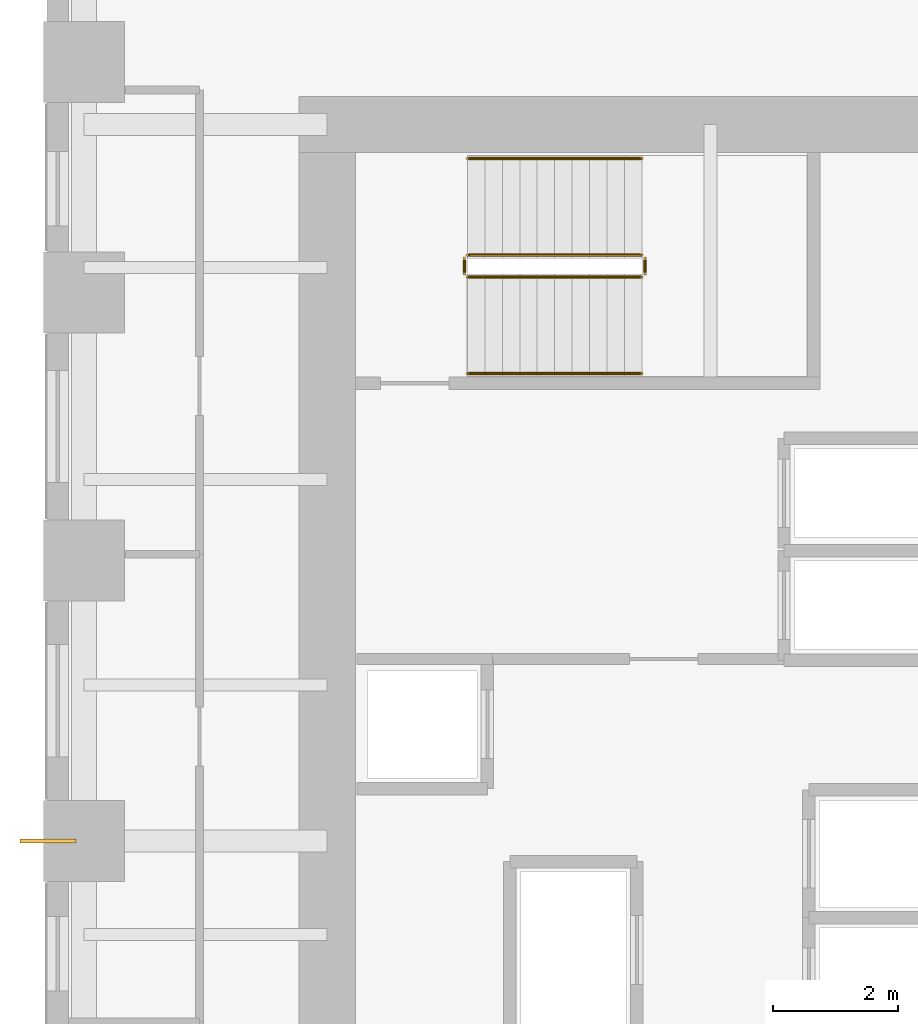
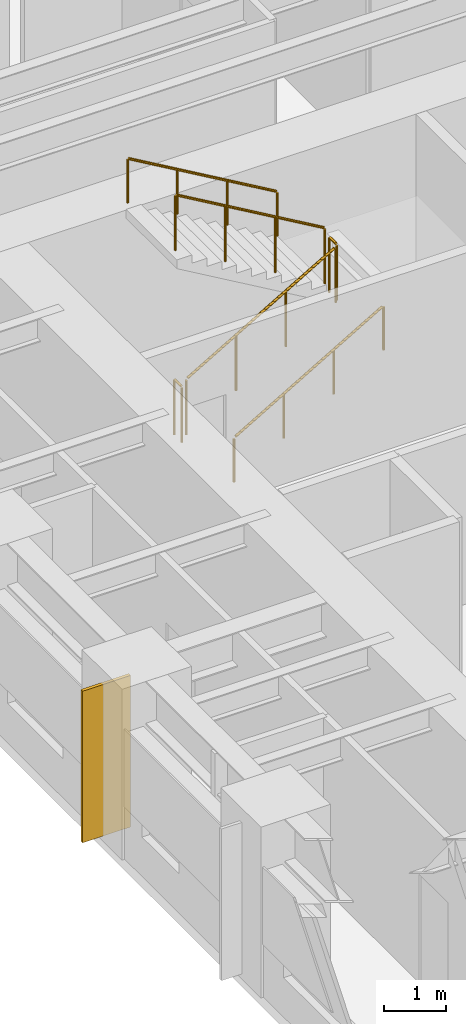
# One storey, part 12 of 13: 6 railings, 1 covering.
"""IFC4 building model written with IfcOpenShell, lengths in metres."""

import ifcopenshell
import ifcopenshell.guid

model = None  # the IFC model being written
_history = None  # IfcOwnerHistory: only IFC2X3 demands one
_inside = {}  # id of a spatial element -> (the spatial element, [elements in it])
_under = {}  # id of a project, library or spatial element -> (it, [spatial elements below it])
_declared = {}  # id of a project -> (the project, [libraries it declares])
_typed = {}  # id of a type object -> (the type object, [elements of that type])
_made_of = {}  # id of a material, layer set ... -> (it, [elements and type objects made of it])


def new_model(schema):
    """Start an empty IFC model of exactly this schema.

    Asked for "IFC4X3", IfcOpenShell would pick the latest addendum, in which some entities
    have other attributes; the version numbers below select the first issue.
    IFC2X3 requires an IfcOwnerHistory on every rooted entity: one is made here for all.
    """
    global model, _history
    if schema == "IFC4X3":
        model = ifcopenshell.file(schema_version=(4, 3, 0, 0))
    else:
        model = ifcopenshell.file(schema=schema)
    _inside.clear()
    _under.clear()
    _declared.clear()
    _typed.clear()
    _made_of.clear()
    _history = None
    if model.schema == "IFC2X3":
        org = make("IfcOrganization", Name="unknown")
        user = make(
            "IfcPersonAndOrganization",
            ThePerson=make("IfcPerson", FamilyName="unknown"),
            TheOrganization=org,
        )
        app = make(
            "IfcApplication",
            ApplicationDeveloper=org,
            Version="unknown",
            ApplicationFullName="unknown",
            ApplicationIdentifier="unknown",
        )
        _history = make(
            "IfcOwnerHistory",
            OwningUser=user,
            OwningApplication=app,
            ChangeAction="ADDED",
            CreationDate=0,
        )
    return model


def make(cls, **values):
    """One entity of the class cls with the attributes given. An attribute that is None is left unset."""
    return model.create_entity(
        cls, **{name: value for name, value in values.items() if value is not None}
    )


def rooted(cls, **values):
    """An entity with a GlobalId (a new one), such as an element, a storey or a relation."""
    return make(cls, GlobalId=ifcopenshell.guid.new(), OwnerHistory=_history, **values)


def si_unit(unit_type, name, prefix=None):
    """IfcSIUnit, for example si_unit("LENGTHUNIT", "METRE", prefix="MILLI")."""
    return make("IfcSIUnit", UnitType=unit_type, Prefix=prefix, Name=name)


def assignment(units):
    """IfcUnitAssignment: the units of a project."""
    return None if units is None else make("IfcUnitAssignment", Units=units)


def point(xyz):
    """IfcCartesianPoint."""
    return None if xyz is None else make("IfcCartesianPoint", Coordinates=xyz)


def direction(xyz):
    """IfcDirection."""
    return None if xyz is None else make("IfcDirection", DirectionRatios=xyz)


def frame(location, z_axis=None, x_axis=None):
    """IfcAxis2Placement3D, a coordinate frame: its origin and axes. An axis left out is left unset."""
    return make(
        "IfcAxis2Placement3D",
        Location=point(location),
        Axis=direction(z_axis),
        RefDirection=direction(x_axis),
    )


def frame_2d(location, x_axis=None):
    """IfcAxis2Placement2D, a coordinate frame in the plane: its origin and x axis."""
    return make(
        "IfcAxis2Placement2D", Location=point(location), RefDirection=direction(x_axis)
    )


def origin():
    """The frame at (0, 0, 0) with its axes left unset."""
    return frame((0.0, 0.0, 0.0))


def origin_2d():
    """The frame at (0, 0) in the plane with its x axis left unset."""
    return frame_2d((0.0, 0.0))


def place(relative_to, where):
    """IfcLocalPlacement: puts the frame where relative to a parent placement (None: the world)."""
    return make(
        "IfcLocalPlacement", PlacementRelTo=relative_to, RelativePlacement=where
    )


def context(
    kind, dimensions, precision=None, world=None, true_north=None, identifier=None
):
    """IfcGeometricRepresentationContext, for example the 3D "Model" context."""
    return make(
        "IfcGeometricRepresentationContext",
        ContextIdentifier=identifier,
        ContextType=kind,
        CoordinateSpaceDimension=dimensions,
        Precision=precision,
        WorldCoordinateSystem=world,
        TrueNorth=true_north,
    )


def subcontext(parent, identifier, kind, view, scale=None):
    """IfcGeometricRepresentationSubContext, for example "Body" below "Model"."""
    return make(
        "IfcGeometricRepresentationSubContext",
        ContextIdentifier=identifier,
        ContextType=kind,
        ParentContext=parent,
        TargetScale=scale,
        TargetView=view,
    )


def project(units=None, contexts=None):
    """IfcProject with its units and contexts."""
    return rooted(
        "IfcProject",
        Name="project",
        RepresentationContexts=contexts,
        UnitsInContext=assignment(units),
    )


def spatial(cls, under=None, at=None, **own):
    """A site, building, storey or space (cls), placed at a placement, below another one or the project."""
    s = rooted(cls, ObjectPlacement=at, **own)
    if under is not None:
        _under.setdefault(under.id(), (under, []))[1].append(s)
    return s


def profile(cls, at=None, kind="AREA", **sizes):
    """A parametric profile (cls). Its sizes go by their IFC names, for example OverallWidth=200.0."""
    return make(cls, ProfileType=kind, Position=at, **sizes)


def rectangle(**sizes):
    """IfcRectangleProfileDef."""
    return profile("IfcRectangleProfileDef", **sizes)


def circle(**sizes):
    """IfcCircleProfileDef."""
    return profile("IfcCircleProfileDef", **sizes)


def extrude(swept, where, along, depth):
    """IfcExtrudedAreaSolid: the profile swept, set in the frame where, extruded along a direction by depth."""
    return make(
        "IfcExtrudedAreaSolid",
        SweptArea=swept,
        Position=where,
        ExtrudedDirection=direction(along),
        Depth=depth,
    )


def shape(context_of_items, identifier, shape_type, items):
    """IfcShapeRepresentation: the items that make up one representation, for example the "Body"."""
    return make(
        "IfcShapeRepresentation",
        ContextOfItems=context_of_items,
        RepresentationIdentifier=identifier,
        RepresentationType=shape_type,
        Items=items,
    )


def source(mapping_origin, context_of_items, identifier, shape_type, items):
    """IfcRepresentationMap: a shape defined once, which mapped items show again and again."""
    return make(
        "IfcRepresentationMap",
        MappingOrigin=mapping_origin,
        MappedRepresentation=shape(context_of_items, identifier, shape_type, items),
    )


def transform(
    local_origin,
    x_axis=None,
    y_axis=None,
    z_axis=None,
    scale=None,
    scale2=None,
    scale3=None,
    uniform=True,
):
    """IfcCartesianTransformationOperator3D, or its non-uniform kind. x_axis, y_axis, z_axis: its Axis1, 2, 3."""
    if uniform:
        return make(
            "IfcCartesianTransformationOperator3D",
            Axis1=direction(x_axis),
            Axis2=direction(y_axis),
            LocalOrigin=point(local_origin),
            Scale=scale,
            Axis3=direction(z_axis),
        )
    return make(
        "IfcCartesianTransformationOperator3DnonUniform",
        Axis1=direction(x_axis),
        Axis2=direction(y_axis),
        LocalOrigin=point(local_origin),
        Scale=scale,
        Axis3=direction(z_axis),
        Scale2=scale2,
        Scale3=scale3,
    )


def mapped(mapping_source, mapping_target):
    """IfcMappedItem: shows the shape of a source again, moved by a transform."""
    return make(
        "IfcMappedItem", MappingSource=mapping_source, MappingTarget=mapping_target
    )


def material(Name=None, Category=None):
    """IfcMaterial."""
    return make("IfcMaterial", Name=Name, Category=Category)


def layer(
    of_material, thickness, ventilated=None, Name=None, Category=None, Priority=None
):
    """IfcMaterialLayer: one layer of a wall or slab, of a material (None: an air gap)."""
    return make(
        "IfcMaterialLayer",
        Material=of_material,
        LayerThickness=thickness,
        IsVentilated=ventilated,
        Name=Name,
        Category=Category,
        Priority=Priority,
    )


def layer_set(layers, Name=None):
    """IfcMaterialLayerSet."""
    return make("IfcMaterialLayerSet", MaterialLayers=layers, LayerSetName=Name)


def made_of(thing, what):
    """Note that an element or type object is made of a material, layer set ...; save() writes the relation."""
    if what is not None:
        _made_of.setdefault(what.id(), (what, []))[1].append(thing)
    return thing


def type_object(cls, material=None, **own):
    """A type object (cls), such as IfcWallType, which elements share."""
    return made_of(rooted(cls, **own), material)


def element(
    cls,
    number,
    at=None,
    inside=None,
    cuts=None,
    type_object=None,
    material=None,
    context=None,
    identifier="Body",
    shape_type=None,
    held_by="IfcProductDefinitionShape",
    body=None,
    shapes=None,
    **own,
):
    """One element of the class cls, such as IfcWall. Its Tag is "e" and its number.

    at: its placement. inside: the storey or other place that contains it. cuts: it is an
    opening in that element (IfcRelVoidsElement). A single representation is given by context,
    identifier, shape_type and body (its items); several are given by shapes. held_by: the class
    of the entity that holds the representations. save() writes the other relations.
    """
    e = rooted(cls, Tag="e%d" % number, ObjectPlacement=at, **own)
    if body is not None:
        shapes = [shape(context, identifier, shape_type, body)]
    if shapes is not None:
        e.Representation = make(held_by, Representations=shapes)
    if inside is not None:
        _inside.setdefault(inside.id(), (inside, []))[1].append(e)
    if cuts is not None:
        rooted(
            "IfcRelVoidsElement", RelatingBuildingElement=cuts, RelatedOpeningElement=e
        )
    if type_object is not None:
        _typed.setdefault(type_object.id(), (type_object, []))[1].append(e)
    return made_of(e, material)


def aggregate(whole, parts):
    """IfcRelAggregates: a whole, such as a stair, and the parts it consists of."""
    return rooted("IfcRelAggregates", RelatingObject=whole, RelatedObjects=parts)


def save(model, path):
    """Write the relations noted so far, then the file.

    IfcRelAggregates (storeys below a building ...), IfcRelContainedInSpatialStructure (elements
    in a storey), IfcRelDefinesByType, IfcRelAssociatesMaterial and IfcRelDeclares: one each for
    every whole, place, type object, material and project.
    """
    for whole, parts in _under.values():
        aggregate(whole, parts)
    for where, things in _inside.values():
        rooted(
            "IfcRelContainedInSpatialStructure",
            RelatedElements=things,
            RelatingStructure=where,
        )
    for kind, things in _typed.values():
        rooted("IfcRelDefinesByType", RelatedObjects=things, RelatingType=kind)
    for what, things in _made_of.values():
        rooted("IfcRelAssociatesMaterial", RelatedObjects=things, RelatingMaterial=what)
    for by, libraries in _declared.values():
        rooted("IfcRelDeclares", RelatingContext=by, RelatedDefinitions=libraries)
    model.write(path)


model = new_model("IFC4")

# Units and contexts
model_context = context("Model", 3, precision=1e-05, world=origin(), true_north=direction((0.0, 1.0)))
body_context = subcontext(model_context, "Body", "Model", "MODEL_VIEW")
ifc_project = project(units=[si_unit("LENGTHUNIT", "METRE"), si_unit("AREAUNIT", "SQUARE_METRE"), si_unit("VOLUMEUNIT", "CUBIC_METRE"), si_unit("PLANEANGLEUNIT", "RADIAN"), si_unit("MASSUNIT", "GRAM", prefix="KILO")], contexts=[model_context])

# Site, building, storey
site_placement = place(None, origin())
site = spatial("IfcSite", under=ifc_project, at=site_placement, CompositionType="ELEMENT")
building_placement = place(site_placement, origin())
building = spatial("IfcBuilding", under=site, at=building_placement, Name="Kharzan Plaza Tower", CompositionType="ELEMENT")
storey_placement = place(building_placement, frame((0.0, 0.0, 47.699951171875)))
storey = spatial("IfcBuildingStorey", under=building, at=storey_placement, Name="L12", CompositionType="ELEMENT", Elevation=47.699951171875)

# Railings
ifc_material_1 = material(Name="Painted Galvanized Architectural Steel", Category="steel")
ifc_layer_1 = layer(ifc_material_1, 0.074951171875)
ifc_layer_set_1 = layer_set([ifc_layer_1], Name="Painted Galvanized Architectural Steel")
railing_type_1 = type_object("IfcRailingType", Name="RL-GUARD-1120", PredefinedType="BALUSTRADE", material=ifc_layer_set_1)
shared_shape_1 = source(origin(), body_context, "Body", "SweptSolid", [
    extrude(circle(Radius=0.02392578125, at=origin_2d()), frame((0.0, 0.0263671875, 1.09619140625), z_axis=(0.0, 1.0, 0.0), x_axis=(-1.0, 0.0, 0.0)), (0.0, 0.0, 1.0), 0.197021484375),
    extrude(circle(Radius=0.02099609375, at=origin_2d()), origin(), (0.0, 0.0, 1.0), 1.072021484375),
    extrude(circle(Radius=0.02099609375, at=origin_2d()), frame((0.0, 0.25, 0.0)), (0.0, 0.0, 1.0), 1.072021484375),
])
for number, where, name in (
    (1, (9.60009765625, 27.10009765625, 1.800048828125), "L12 ST-2 stair guard 2"),
    (2, (6.699951171875, 27.10009765625, 0.0), "L12 ST-2 stair guard 4"),
):
    element("IfcRailing", number, at=place(storey_placement, frame(where)), inside=storey, type_object=railing_type_1, Name=name, PredefinedType="BALUSTRADE", context=body_context, shape_type="MappedRepresentation", body=[
        mapped(shared_shape_1, transform((0.0, 0.0, 0.0), x_axis=(1.0, 0.0, 0.0), y_axis=(0.0, 1.0, 0.0), z_axis=(0.0, 0.0, 1.0))),
    ])

# Covering
ifc_material_2 = material(Name="Honed Riyadh Limestone", Category="masonry")
ifc_layer_2 = layer(ifc_material_2, 0.06005859375)
ifc_layer_set_2 = layer_set([ifc_layer_2], Name="Honed Riyadh Limestone")
covering_type = type_object("IfcCoveringType", Name="COV-CLAD-STONE", PredefinedType="CLADDING", material=ifc_layer_set_2)
shared_shape_2 = source(origin(), body_context, "Body", "SweptSolid", [
    extrude(rectangle(XDim=0.06005859375, YDim=0.89990234375, at=origin_2d()), origin(), (0.0, 0.0, 1.0), 3.0),
])
covering_placement = place(storey_placement, frame((0.02001953125, 18.0, 0.10009765625), z_axis=(0.0, 0.0, 1.0), x_axis=(0.0, 1.0, 0.0)))
element("IfcCovering", 3, at=covering_placement, inside=storey, type_object=covering_type, Name="L12 Limestone Pier Rainscreen Cladding TCW-180", PredefinedType="CLADDING", context=body_context, shape_type="MappedRepresentation", body=[
    mapped(shared_shape_2, transform((0.0, 0.0, 0.0), x_axis=(1.0, 0.0, 0.0), y_axis=(0.0, 1.0, 0.0), z_axis=(0.0, 0.0, 1.0))),
])

# Railings
shared_shape_3 = source(origin(), body_context, "Body", "SweptSolid", [
    extrude(circle(Radius=0.02392578125, at=origin_2d()), frame((0.02294921875, 0.0, 1.109375), z_axis=(0.863360870873, 0.0, 0.504586966384), x_axis=(0.0, 1.0, 0.0)), (0.0, 0.0, 1.0), 3.190185546875),
    extrude(circle(Radius=0.02099609375, at=origin_2d()), origin(), (0.0, 0.0, 1.0), 1.072021484375),
    extrude(circle(Radius=0.02099609375, at=origin_2d()), frame((0.933349609375, 0.0, 0.54541015625)), (0.0, 0.0, 1.0), 1.072021484375),
    extrude(circle(Radius=0.02099609375, at=origin_2d()), frame((1.86669921875, 0.0, 1.091064453125)), (0.0, 0.0, 1.0), 1.072021484375),
    extrude(circle(Radius=0.02099609375, at=origin_2d()), frame((2.800048828125, 0.0, 1.636474609375)), (0.0, 0.0, 1.0), 1.072021484375),
])
railing_1_placement = place(storey_placement, frame((6.75, 27.050048828125, 0.16357421875)))
element("IfcRailing", 4, at=railing_1_placement, inside=storey, type_object=railing_type_1, Name="L12 ST-2 stair guard 1", PredefinedType="BALUSTRADE", context=body_context, shape_type="MappedRepresentation", body=[
    mapped(shared_shape_3, transform((0.0, 0.0, 0.0), x_axis=(1.0, 0.0, 0.0), y_axis=(0.0, 1.0, 0.0), z_axis=(0.0, 0.0, 1.0))),
])
shared_shape_4 = source(origin(), body_context, "Body", "SweptSolid", [
    extrude(circle(Radius=0.02392578125, at=origin_2d()), frame((-0.02294921875, 0.0, 1.109375), z_axis=(-0.863360870873, 0.0, 0.504586966384), x_axis=(0.0, -1.0, 0.0)), (0.0, 0.0, 1.0), 3.190185546875),
    extrude(circle(Radius=0.02099609375, at=origin_2d()), origin(), (0.0, 0.0, 1.0), 1.072021484375),
    extrude(circle(Radius=0.02099609375, at=origin_2d()), frame((-0.933349609375, 0.0, 0.54541015625)), (0.0, 0.0, 1.0), 1.072021484375),
    extrude(circle(Radius=0.02099609375, at=origin_2d()), frame((-1.86669921875, 0.0, 1.091064453125)), (0.0, 0.0, 1.0), 1.072021484375),
    extrude(circle(Radius=0.02099609375, at=origin_2d()), frame((-2.800048828125, 0.0, 1.636474609375)), (0.0, 0.0, 1.0), 1.072021484375),
])
railing_2_placement = place(storey_placement, frame((9.550048828125, 27.39990234375, 1.963623046875)))
element("IfcRailing", 5, at=railing_2_placement, inside=storey, type_object=railing_type_1, Name="L12 ST-2 stair guard 3", PredefinedType="BALUSTRADE", context=body_context, shape_type="MappedRepresentation", body=[
    mapped(shared_shape_4, transform((0.0, 0.0, 0.0), x_axis=(1.0, 0.0, 0.0), y_axis=(0.0, 1.0, 0.0), z_axis=(0.0, 0.0, 1.0))),
])
ifc_material_3 = material(Name="Brushed Stainless Steel", Category="steel")
ifc_layer_3 = layer(ifc_material_3, 0.050048828125)
ifc_layer_set_3 = layer_set([ifc_layer_3], Name="Brushed Stainless Steel")
railing_type_2 = type_object("IfcRailingType", Name="RL-STAIR-HR920", PredefinedType="HANDRAIL", material=ifc_layer_set_3)
shared_shape_5 = source(origin(), body_context, "Body", "SweptSolid", [
    extrude(circle(Radius=0.02392578125, at=origin_2d()), frame((0.02294921875, 0.0, 0.88916015625), z_axis=(0.863360870873, 0.0, 0.504586966384), x_axis=(0.0, 1.0, 0.0)), (0.0, 0.0, 1.0), 3.190185546875),
    extrude(circle(Radius=0.02099609375, at=origin_2d()), origin(), (0.0, 0.0, 1.0), 0.851806640625),
    extrude(circle(Radius=0.02099609375, at=origin_2d()), frame((0.933349609375, 0.0, 0.54541015625)), (0.0, 0.0, 1.0), 0.851806640625),
    extrude(circle(Radius=0.02099609375, at=origin_2d()), frame((1.86669921875, 0.0, 1.091064453125)), (0.0, 0.0, 1.0), 0.851806640625),
    extrude(circle(Radius=0.02099609375, at=origin_2d()), frame((2.800048828125, 0.0, 1.636474609375)), (0.0, 0.0, 1.0), 0.851806640625),
])
railing_3_placement = place(storey_placement, frame((6.75, 25.5, 0.16357421875)))
element("IfcRailing", 6, at=railing_3_placement, inside=storey, type_object=railing_type_2, Name="L12 ST-2 stair handrail 1", PredefinedType="HANDRAIL", context=body_context, shape_type="MappedRepresentation", body=[
    mapped(shared_shape_5, transform((0.0, 0.0, 0.0), x_axis=(1.0, 0.0, 0.0), y_axis=(0.0, 1.0, 0.0), z_axis=(0.0, 0.0, 1.0))),
])
shared_shape_6 = source(origin(), body_context, "Body", "SweptSolid", [
    extrude(circle(Radius=0.02392578125, at=origin_2d()), frame((-0.02294921875, 0.0, 0.88916015625), z_axis=(-0.863360870873, 0.0, 0.504586966384), x_axis=(0.0, -1.0, 0.0)), (0.0, 0.0, 1.0), 3.190185546875),
    extrude(circle(Radius=0.02099609375, at=origin_2d()), origin(), (0.0, 0.0, 1.0), 0.851806640625),
    extrude(circle(Radius=0.02099609375, at=origin_2d()), frame((-0.933349609375, 0.0, 0.54541015625)), (0.0, 0.0, 1.0), 0.851806640625),
    extrude(circle(Radius=0.02099609375, at=origin_2d()), frame((-1.86669921875, 0.0, 1.091064453125)), (0.0, 0.0, 1.0), 0.851806640625),
    extrude(circle(Radius=0.02099609375, at=origin_2d()), frame((-2.800048828125, 0.0, 1.636474609375)), (0.0, 0.0, 1.0), 0.851806640625),
])
railing_4_placement = place(storey_placement, frame((9.550048828125, 28.949951171875, 1.963623046875)))
element("IfcRailing", 7, at=railing_4_placement, inside=storey, type_object=railing_type_2, Name="L12 ST-2 stair handrail 2", PredefinedType="HANDRAIL", context=body_context, shape_type="MappedRepresentation", body=[
    mapped(shared_shape_6, transform((0.0, 0.0, 0.0), x_axis=(1.0, 0.0, 0.0), y_axis=(0.0, 1.0, 0.0), z_axis=(0.0, 0.0, 1.0))),
])

save(model, "model.ifc")
